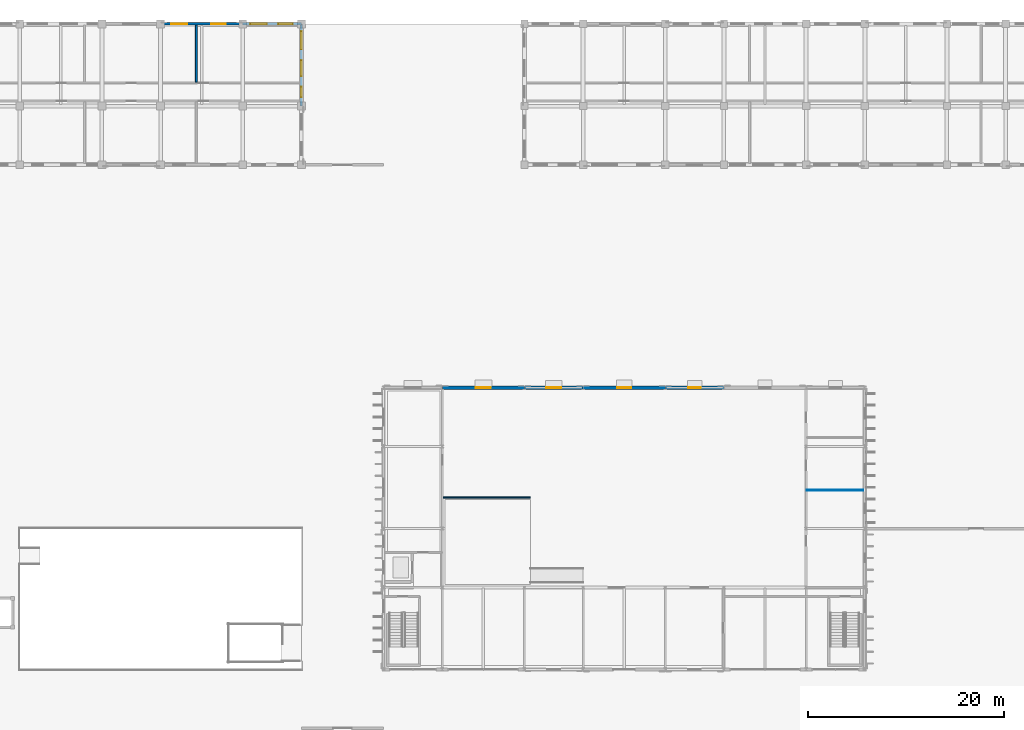
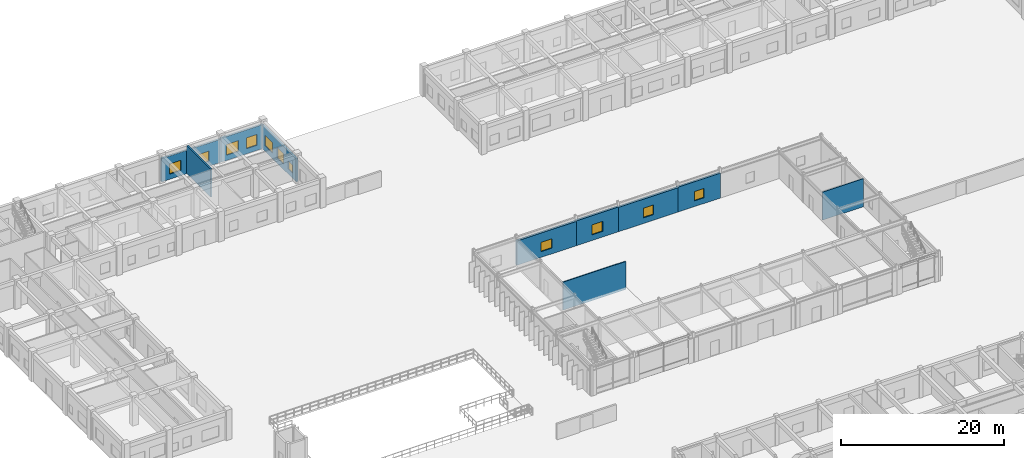
# One storey, part 38 of 67: 11 windows, 10 walls, 11 openings.
"""IFC4 building model written with IfcOpenShell, lengths in metres."""

from ifc_helpers import new_model, si_unit, direction, frame, frame_2d, origin, place, context, subcontext, project, spatial, rectangle, extrude, material, layer, layer_set, type_object, element, fill, save


model = new_model("IFC4")

# Units and contexts
model_context = context("Model", 3, precision=1e-05, world=origin(), true_north=direction((0.0, 1.0)))
body_context = subcontext(model_context, "Body", "Model", "MODEL_VIEW")
ifc_project = project(units=[si_unit("LENGTHUNIT", "METRE"), si_unit("AREAUNIT", "SQUARE_METRE"), si_unit("VOLUMEUNIT", "CUBIC_METRE"), si_unit("PLANEANGLEUNIT", "RADIAN"), si_unit("MASSUNIT", "GRAM", prefix="KILO"), si_unit("THERMODYNAMICTEMPERATUREUNIT", "KELVIN")], contexts=[model_context])

# Site, building, storey
site_placement = place(None, origin())
site = spatial("IfcSite", under=ifc_project, at=site_placement, CompositionType="ELEMENT")
building_placement = place(site_placement, origin())
building = spatial("IfcBuilding", under=site, at=building_placement, Name="Thalorik Housing Commons", CompositionType="ELEMENT")
storey_placement = place(building_placement, origin())
storey = spatial("IfcBuildingStorey", under=building, at=storey_placement, Name="L00", CompositionType="ELEMENT", Elevation=0.0)

# Wall, openings, windows
ifc_material_1 = material(Name="White precast concrete C40/50", Category="concrete")
ifc_layer_1 = layer(ifc_material_1, 0.264892578125, Name="White precast concrete C40/50", Category="concrete")
ifc_layer_set_1 = layer_set([ifc_layer_1], Name="White precast concrete C40/50")
wall_type_1 = type_object("IfcWallType", Name="ARC-WAL-EXT-265", PredefinedType="STANDARD", material=ifc_layer_set_1)
wall_1_placement = place(storey_placement, frame((57.60009765625, 115.199951171875, 0.0), z_axis=(0.0, 0.0, 1.0), x_axis=(0.0, 1.0, 0.0)))
wall_1 = element("IfcWall", 1, at=wall_1_placement, inside=storey, type_object=wall_type_1, Name="L00 Exterior Wall WAL-EXT-L00-A-0007", PredefinedType="STANDARD", context=body_context, shape_type="SweptSolid", body=[
    extrude(rectangle(XDim=8.400146484375, YDim=0.264892578125, at=frame_2d((4.2001953125, 0.0))), origin(), (0.0, 0.0, 1.0), 3.485107421875),
])
opening_1_placement = place(wall_1_placement, frame((0.925048828125, 0.0, 0.780029296875)))
opening_1 = element("IfcOpeningElement", 2, at=opening_1_placement, cuts=wall_1, Name="Opening W-44", PredefinedType="OPENING", context=body_context, shape_type="SweptSolid", body=[
    extrude(rectangle(XDim=1.050048828125, YDim=1.199951171875, at=frame_2d((0.52490234375, 0.60009765625))), frame((0.0, 0.142578125, 0.0), z_axis=(0.0, -1.0, 0.0), x_axis=(1.0, 0.0, 0.0)), (0.0, 0.0, 1.0), 0.284912109375),
])
opening_2_placement = place(wall_1_placement, frame((3.072509765625, 0.0, 0.780029296875)))
opening_2 = element("IfcOpeningElement", 3, at=opening_2_placement, cuts=wall_1, Name="Opening W-13", PredefinedType="OPENING", context=body_context, shape_type="SweptSolid", body=[
    extrude(rectangle(XDim=1.60009765625, YDim=1.550048828125, at=frame_2d((0.800048828125, 0.77490234375))), frame((0.0, 0.142578125, 0.0), z_axis=(0.0, -1.0, 0.0), x_axis=(1.0, 0.0, 0.0)), (0.0, 0.0, 1.0), 0.284912109375),
])
opening_3_placement = place(wall_1_placement, frame((5.79248046875, 0.0, 0.780029296875)))
opening_3 = element("IfcOpeningElement", 4, at=opening_3_placement, cuts=wall_1, Name="Opening W-20", PredefinedType="OPENING", context=body_context, shape_type="SweptSolid", body=[
    extrude(rectangle(XDim=1.85009765625, YDim=1.60009765625, at=frame_2d((0.925048828125, 0.800048828125))), frame((0.0, 0.142578125, 0.0), z_axis=(0.0, -1.0, 0.0), x_axis=(1.0, 0.0, 0.0)), (0.0, 0.0, 1.0), 0.284912109375),
])
ifc_material_2 = material(Name="Anodised aluminium and solar-control low-E glass", Category="aluminium")
window_type_1 = type_object("IfcWindowType", Name="ARC-WIN-13", PartitioningType="DOUBLE_PANEL_VERTICAL", PredefinedType="WINDOW", material=ifc_material_2)
window_1_placement = place(opening_2_placement, origin())
window_1 = element("IfcWindow", 5, at=window_1_placement, inside=storey, type_object=window_type_1, Name="L00 Facade Window 14", OverallHeight=1.550048828125, OverallWidth=1.60009765625, PartitioningType="DOUBLE_PANEL_VERTICAL", PredefinedType="WINDOW", context=body_context, shape_type="SweptSolid", body=[
    extrude(rectangle(XDim=1.60009765625, YDim=1.550048828125, at=frame_2d((0.800048828125, 0.77490234375))), frame((0.0, 0.030029296875, 0.0), z_axis=(0.0, -1.0, 0.0), x_axis=(1.0, 0.0, 0.0)), (0.0, 0.0, 1.0), 0.06005859375),
])
fill(opening_2, window_1)
window_type_2 = type_object("IfcWindowType", Name="ARC-WIN-20", PartitioningType="DOUBLE_PANEL_VERTICAL", PredefinedType="WINDOW", material=ifc_material_2)
window_2_placement = place(opening_3_placement, origin())
window_2 = element("IfcWindow", 6, at=window_2_placement, inside=storey, type_object=window_type_2, Name="L00 Facade Window 15", OverallHeight=1.60009765625, OverallWidth=1.85009765625, PartitioningType="DOUBLE_PANEL_VERTICAL", PredefinedType="WINDOW", context=body_context, shape_type="SweptSolid", body=[
    extrude(rectangle(XDim=1.85009765625, YDim=1.60009765625, at=frame_2d((0.925048828125, 0.800048828125))), frame((0.0, 0.030029296875, 0.0), z_axis=(0.0, -1.0, 0.0), x_axis=(1.0, 0.0, 0.0)), (0.0, 0.0, 1.0), 0.06005859375),
])
fill(opening_3, window_2)
window_type_3 = type_object("IfcWindowType", Name="ARC-WIN-44", PartitioningType="SINGLE_PANEL", PredefinedType="WINDOW", material=ifc_material_2)
window_3_placement = place(opening_1_placement, origin())
window_3 = element("IfcWindow", 7, at=window_3_placement, inside=storey, type_object=window_type_3, Name="L00 Facade Window 13", OverallHeight=1.199951171875, OverallWidth=1.050048828125, PartitioningType="SINGLE_PANEL", PredefinedType="WINDOW", context=body_context, shape_type="SweptSolid", body=[
    extrude(rectangle(XDim=1.050048828125, YDim=1.199951171875, at=frame_2d((0.52490234375, 0.60009765625))), frame((0.0, 0.030029296875, 0.0), z_axis=(0.0, -1.0, 0.0), x_axis=(1.0, 0.0, 0.0)), (0.0, 0.0, 1.0), 0.06005859375),
])
fill(opening_1, window_3)

wall_2_placement = place(storey_placement, frame((57.60009765625, 123.60009765625, 0.0), z_axis=(0.0, 0.0, 1.0), x_axis=(-1.0, 0.0, 0.0)))
wall_2 = element("IfcWall", 8, at=wall_2_placement, inside=storey, type_object=wall_type_1, Name="L00 Exterior Wall WAL-EXT-L00-A-0008", PredefinedType="STANDARD", context=body_context, shape_type="SweptSolid", body=[
    extrude(rectangle(XDim=6.0, YDim=0.264892578125, at=frame_2d((3.0, 0.0))), origin(), (0.0, 0.0, 1.0), 3.5849609375),
])
opening_4_placement = place(wall_2_placement, frame((0.905029296875, 0.0, 0.780029296875)))
opening_4 = element("IfcOpeningElement", 9, at=opening_4_placement, cuts=wall_2, Name="Opening W-09", PredefinedType="OPENING", context=body_context, shape_type="SweptSolid", body=[
    extrude(rectangle(XDim=1.449951171875, YDim=1.60009765625, at=frame_2d((0.72509765625, 0.800048828125))), frame((0.0, 0.142578125, 0.0), z_axis=(0.0, -1.0, 0.0), x_axis=(1.0, 0.0, 0.0)), (0.0, 0.0, 1.0), 0.284912109375),
])
opening_5_placement = place(wall_2_placement, frame((3.52001953125, 0.0, 0.780029296875)))
opening_5 = element("IfcOpeningElement", 10, at=opening_5_placement, cuts=wall_2, Name="Opening W-16", PredefinedType="OPENING", context=body_context, shape_type="SweptSolid", body=[
    extrude(rectangle(XDim=1.699951171875, YDim=1.60009765625, at=frame_2d((0.85009765625, 0.800048828125))), frame((0.0, 0.142578125, 0.0), z_axis=(0.0, -1.0, 0.0), x_axis=(1.0, 0.0, 0.0)), (0.0, 0.0, 1.0), 0.284912109375),
])
window_type_4 = type_object("IfcWindowType", Name="ARC-WIN-09", PartitioningType="SINGLE_PANEL", PredefinedType="WINDOW", material=ifc_material_2)
window_4_placement = place(opening_4_placement, origin())
window_4 = element("IfcWindow", 11, at=window_4_placement, inside=storey, type_object=window_type_4, Name="L00 Facade Window 16", OverallHeight=1.60009765625, OverallWidth=1.449951171875, PartitioningType="SINGLE_PANEL", PredefinedType="WINDOW", context=body_context, shape_type="SweptSolid", body=[
    extrude(rectangle(XDim=1.449951171875, YDim=1.60009765625, at=frame_2d((0.72509765625, 0.800048828125))), frame((0.0, 0.030029296875, 0.0), z_axis=(0.0, -1.0, 0.0), x_axis=(1.0, 0.0, 0.0)), (0.0, 0.0, 1.0), 0.06005859375),
])
fill(opening_4, window_4)
window_type_5 = type_object("IfcWindowType", Name="ARC-WIN-16", PartitioningType="DOUBLE_PANEL_VERTICAL", PredefinedType="WINDOW", material=ifc_material_2)
window_5_placement = place(opening_5_placement, origin())
window_5 = element("IfcWindow", 12, at=window_5_placement, inside=storey, type_object=window_type_5, Name="L00 Facade Window 17", OverallHeight=1.60009765625, OverallWidth=1.699951171875, PartitioningType="DOUBLE_PANEL_VERTICAL", PredefinedType="WINDOW", context=body_context, shape_type="SweptSolid", body=[
    extrude(rectangle(XDim=1.699951171875, YDim=1.60009765625, at=frame_2d((0.85009765625, 0.800048828125))), frame((0.0, 0.030029296875, 0.0), z_axis=(0.0, -1.0, 0.0), x_axis=(1.0, 0.0, 0.0)), (0.0, 0.0, 1.0), 0.06005859375),
])
fill(opening_5, window_5)

wall_3_placement = place(storey_placement, frame((51.60009765625, 123.60009765625, 0.0), z_axis=(0.0, 0.0, 1.0), x_axis=(-1.0, 0.0, 0.0)))
wall_3 = element("IfcWall", 13, at=wall_3_placement, inside=storey, type_object=wall_type_1, Name="L00 Exterior Wall WAL-EXT-L00-A-0009", PredefinedType="STANDARD", context=body_context, shape_type="SweptSolid", body=[
    extrude(rectangle(XDim=8.400146484375, YDim=0.264892578125, at=frame_2d((4.2001953125, 0.0))), origin(), (0.0, 0.0, 1.0), 3.485107421875),
])
opening_6_placement = place(wall_3_placement, frame((1.719970703125, 0.0, 0.780029296875)))
opening_6 = element("IfcOpeningElement", 14, at=opening_6_placement, cuts=wall_3, Name="Opening W-10", PredefinedType="OPENING", context=body_context, shape_type="SweptSolid", body=[
    extrude(rectangle(XDim=1.5, YDim=1.5, at=frame_2d((0.75, 0.75))), frame((0.0, 0.142578125, 0.0), z_axis=(0.0, -1.0, 0.0), x_axis=(1.0, 0.0, 0.0)), (0.0, 0.0, 1.0), 0.284912109375),
])
opening_7_placement = place(wall_3_placement, frame((5.655029296875, 0.0, 0.780029296875)))
opening_7 = element("IfcOpeningElement", 15, at=opening_7_placement, cuts=wall_3, Name="Opening W-15", PredefinedType="OPENING", context=body_context, shape_type="SweptSolid", body=[
    extrude(rectangle(XDim=1.64990234375, YDim=1.5, at=frame_2d((0.824951171875, 0.75))), frame((0.0, 0.142578125, 0.0), z_axis=(0.0, -1.0, 0.0), x_axis=(1.0, 0.0, 0.0)), (0.0, 0.0, 1.0), 0.284912109375),
])
window_type_6 = type_object("IfcWindowType", Name="ARC-WIN-10", PartitioningType="SINGLE_PANEL", PredefinedType="WINDOW", material=ifc_material_2)
window_6_placement = place(opening_6_placement, origin())
window_6 = element("IfcWindow", 16, at=window_6_placement, inside=storey, type_object=window_type_6, Name="L00 Facade Window 18", OverallHeight=1.5, OverallWidth=1.5, PartitioningType="SINGLE_PANEL", PredefinedType="WINDOW", context=body_context, shape_type="SweptSolid", body=[
    extrude(rectangle(XDim=1.5, YDim=1.5, at=frame_2d((0.75, 0.75))), frame((0.0, 0.030029296875, 0.0), z_axis=(0.0, -1.0, 0.0), x_axis=(1.0, 0.0, 0.0)), (0.0, 0.0, 1.0), 0.06005859375),
])
fill(opening_6, window_6)
window_type_7 = type_object("IfcWindowType", Name="ARC-WIN-15", PartitioningType="DOUBLE_PANEL_VERTICAL", PredefinedType="WINDOW", material=ifc_material_2)
window_7_placement = place(opening_7_placement, origin())
window_7 = element("IfcWindow", 17, at=window_7_placement, inside=storey, type_object=window_type_7, Name="L00 Facade Window 19", OverallHeight=1.5, OverallWidth=1.64990234375, PartitioningType="DOUBLE_PANEL_VERTICAL", PredefinedType="WINDOW", context=body_context, shape_type="SweptSolid", body=[
    extrude(rectangle(XDim=1.64990234375, YDim=1.5, at=frame_2d((0.824951171875, 0.75))), frame((0.0, 0.030029296875, 0.0), z_axis=(0.0, -1.0, 0.0), x_axis=(1.0, 0.0, 0.0)), (0.0, 0.0, 1.0), 0.06005859375),
])
fill(opening_7, window_7)

# Wall, opening, window
ifc_layer_2 = layer(ifc_material_1, 0.320068359375, Name="White precast concrete C40/50", Category="concrete")
ifc_layer_set_2 = layer_set([ifc_layer_2], Name="White precast concrete C40/50")
wall_type_2 = type_object("IfcWallType", Name="ARC-WAL-EXT-320", PredefinedType="STANDARD", material=ifc_layer_set_2)
wall_4_placement = place(storey_placement, frame((100.800048828125, 86.39990234375, 0.0), z_axis=(0.0, 0.0, 1.0), x_axis=(-1.0, 0.0, 0.0)))
wall_4 = element("IfcWall", 18, at=wall_4_placement, inside=storey, type_object=wall_type_2, Name="L00 Exterior Wall WAL-HALL-L00-1292", PredefinedType="STANDARD", context=body_context, shape_type="SweptSolid", body=[
    extrude(rectangle(XDim=6.0, YDim=0.320068359375, at=frame_2d((3.0, 0.0))), origin(), (0.0, 0.0, 1.0), 3.721923828125),
])
opening_8_placement = place(wall_4_placement, frame((2.35009765625, 0.0, 0.85009765625)))
opening_8 = element("IfcOpeningElement", 19, at=opening_8_placement, cuts=wall_4, Name="Opening W-06", PredefinedType="OPENING", context=body_context, shape_type="SweptSolid", body=[
    extrude(rectangle(XDim=1.300048828125, YDim=1.39990234375, at=frame_2d((0.64990234375, 0.699951171875))), frame((0.0, 0.169921875, 0.0), z_axis=(0.0, -1.0, 0.0), x_axis=(1.0, 0.0, 0.0)), (0.0, 0.0, 1.0), 0.340087890625),
])
window_type_8 = type_object("IfcWindowType", Name="ARC-WIN-06", PartitioningType="SINGLE_PANEL", PredefinedType="WINDOW", material=ifc_material_2)
window_8_placement = place(opening_8_placement, origin())
window_8 = element("IfcWindow", 20, at=window_8_placement, inside=storey, type_object=window_type_8, Name="L00 Facade Window 2334", OverallHeight=1.39990234375, OverallWidth=1.300048828125, PartitioningType="SINGLE_PANEL", PredefinedType="WINDOW", context=body_context, shape_type="SweptSolid", body=[
    extrude(rectangle(XDim=1.300048828125, YDim=1.39990234375, at=frame_2d((0.64990234375, 0.699951171875))), frame((0.0, 0.030029296875, 0.0), z_axis=(0.0, -1.0, 0.0), x_axis=(1.0, 0.0, 0.0)), (0.0, 0.0, 1.0), 0.06005859375),
])
fill(opening_8, window_8)

wall_5_placement = place(storey_placement, frame((94.800048828125, 86.39990234375, 0.0), z_axis=(0.0, 0.0, 1.0), x_axis=(-1.0, 0.0, 0.0)))
wall_5 = element("IfcWall", 21, at=wall_5_placement, inside=storey, type_object=wall_type_2, Name="L00 Exterior Wall WAL-HALL-L00-1293", PredefinedType="STANDARD", context=body_context, shape_type="SweptSolid", body=[
    extrude(rectangle(XDim=8.400146484375, YDim=0.320068359375, at=frame_2d((4.2001953125, 0.0))), origin(), (0.0, 0.0, 1.0), 3.64599609375),
])
opening_9_placement = place(wall_5_placement, frame((3.5, 0.0, 0.85009765625)))
opening_9 = element("IfcOpeningElement", 22, at=opening_9_placement, cuts=wall_5, Name="Opening W-08", PredefinedType="OPENING", context=body_context, shape_type="SweptSolid", body=[
    extrude(rectangle(XDim=1.39990234375, YDim=1.449951171875, at=frame_2d((0.699951171875, 0.72509765625))), frame((0.0, 0.169921875, 0.0), z_axis=(0.0, -1.0, 0.0), x_axis=(1.0, 0.0, 0.0)), (0.0, 0.0, 1.0), 0.340087890625),
])
window_type_9 = type_object("IfcWindowType", Name="ARC-WIN-08", PartitioningType="SINGLE_PANEL", PredefinedType="WINDOW", material=ifc_material_2)
window_9_placement = place(opening_9_placement, origin())
window_9 = element("IfcWindow", 23, at=window_9_placement, inside=storey, type_object=window_type_9, Name="L00 Facade Window 2335", OverallHeight=1.449951171875, OverallWidth=1.39990234375, PartitioningType="SINGLE_PANEL", PredefinedType="WINDOW", context=body_context, shape_type="SweptSolid", body=[
    extrude(rectangle(XDim=1.39990234375, YDim=1.449951171875, at=frame_2d((0.699951171875, 0.72509765625))), frame((0.0, 0.030029296875, 0.0), z_axis=(0.0, -1.0, 0.0), x_axis=(1.0, 0.0, 0.0)), (0.0, 0.0, 1.0), 0.06005859375),
])
fill(opening_9, window_9)

wall_6_placement = place(storey_placement, frame((86.39990234375, 86.39990234375, 0.0), z_axis=(0.0, 0.0, 1.0), x_axis=(-1.0, 0.0, 0.0)))
wall_6 = element("IfcWall", 24, at=wall_6_placement, inside=storey, type_object=wall_type_2, Name="L00 Exterior Wall WAL-HALL-L00-1294", PredefinedType="STANDARD", context=body_context, shape_type="SweptSolid", body=[
    extrude(rectangle(XDim=6.0, YDim=0.320068359375, at=frame_2d((3.0, 0.0))), origin(), (0.0, 0.0, 1.0), 3.721923828125),
])
opening_10_placement = place(wall_6_placement, frame((2.25, 0.0, 0.85009765625)))
opening_10 = element("IfcOpeningElement", 25, at=opening_10_placement, cuts=wall_6, Name="Opening W-10", PredefinedType="OPENING", context=body_context, shape_type="SweptSolid", body=[
    extrude(rectangle(XDim=1.5, YDim=1.5, at=frame_2d((0.75, 0.75))), frame((0.0, 0.169921875, 0.0), z_axis=(0.0, -1.0, 0.0), x_axis=(1.0, 0.0, 0.0)), (0.0, 0.0, 1.0), 0.340087890625),
])
window_10_placement = place(opening_10_placement, origin())
window_10 = element("IfcWindow", 26, at=window_10_placement, inside=storey, type_object=window_type_6, Name="L00 Facade Window 2336", OverallHeight=1.5, OverallWidth=1.5, PartitioningType="SINGLE_PANEL", PredefinedType="WINDOW", context=body_context, shape_type="SweptSolid", body=[
    extrude(rectangle(XDim=1.5, YDim=1.5, at=frame_2d((0.75, 0.75))), frame((0.0, 0.030029296875, 0.0), z_axis=(0.0, -1.0, 0.0), x_axis=(1.0, 0.0, 0.0)), (0.0, 0.0, 1.0), 0.06005859375),
])
fill(opening_10, window_10)

wall_7_placement = place(storey_placement, frame((80.39990234375, 86.39990234375, 0.0), z_axis=(0.0, 0.0, 1.0), x_axis=(-1.0, 0.0, 0.0)))
wall_7 = element("IfcWall", 27, at=wall_7_placement, inside=storey, type_object=wall_type_2, Name="L00 Exterior Wall WAL-HALL-L00-1295", PredefinedType="STANDARD", context=body_context, shape_type="SweptSolid", body=[
    extrude(rectangle(XDim=8.39990234375, YDim=0.320068359375, at=frame_2d((4.199951171875, 0.0))), origin(), (0.0, 0.0, 1.0), 3.64599609375),
])
opening_11_placement = place(wall_7_placement, frame((3.425048828125, 0.0, 0.85009765625)))
opening_11 = element("IfcOpeningElement", 28, at=opening_11_placement, cuts=wall_7, Name="Opening W-12", PredefinedType="OPENING", context=body_context, shape_type="SweptSolid", body=[
    extrude(rectangle(XDim=1.550048828125, YDim=1.39990234375, at=frame_2d((0.77490234375, 0.699951171875))), frame((0.0, 0.169921875, 0.0), z_axis=(0.0, -1.0, 0.0), x_axis=(1.0, 0.0, 0.0)), (0.0, 0.0, 1.0), 0.340087890625),
])
window_type_10 = type_object("IfcWindowType", Name="ARC-WIN-12", PartitioningType="SINGLE_PANEL", PredefinedType="WINDOW", material=ifc_material_2)
window_11_placement = place(opening_11_placement, origin())
window_11 = element("IfcWindow", 29, at=window_11_placement, inside=storey, type_object=window_type_10, Name="L00 Facade Window 2337", OverallHeight=1.39990234375, OverallWidth=1.550048828125, PartitioningType="SINGLE_PANEL", PredefinedType="WINDOW", context=body_context, shape_type="SweptSolid", body=[
    extrude(rectangle(XDim=1.550048828125, YDim=1.39990234375, at=frame_2d((0.77490234375, 0.699951171875))), frame((0.0, 0.030029296875, 0.0), z_axis=(0.0, -1.0, 0.0), x_axis=(1.0, 0.0, 0.0)), (0.0, 0.0, 1.0), 0.06005859375),
])
fill(opening_11, window_11)

# Walls
ifc_material_3 = material(Name="Gypsum light stud partition", Category="masonry")
ifc_layer_3 = layer(ifc_material_3, 0.10009765625, Name="Gypsum light stud partition", Category="masonry")
ifc_layer_set_3 = layer_set([ifc_layer_3], Name="Gypsum light stud partition")
wall_type_3 = type_object("IfcWallType", Name="ARC-WAL-PART-100", PredefinedType="PARTITIONING", material=ifc_layer_set_3)
wall_8_placement = place(storey_placement, frame((109.27587890625, 75.919921875, 0.0), z_axis=(0.0, 0.0, 1.0), x_axis=(1.0, 0.0, 0.0)))
element("IfcWall", 30, at=wall_8_placement, inside=storey, type_object=wall_type_3, Name="L00 Hall Public Bathroom North Divider", PredefinedType="PARTITIONING", context=body_context, shape_type="SweptSolid", body=[
    extrude(rectangle(XDim=5.7841796875, YDim=0.10009765625, at=frame_2d((2.89208984375, 0.0))), origin(), (0.0, 0.0, 1.0), 4.199951171875),
])
ifc_material_4 = material(Name="Gypsum acoustic stud partition", Category="masonry")
ifc_layer_4 = layer(ifc_material_4, 0.125, Name="Gypsum acoustic stud partition", Category="masonry")
ifc_layer_set_4 = layer_set([ifc_layer_4], Name="Gypsum acoustic stud partition")
wall_type_4 = type_object("IfcWallType", Name="ARC-WAL-PART-125", PredefinedType="PARTITIONING", material=ifc_layer_set_4)
wall_9_placement = place(storey_placement, frame((72.075927734375, 75.179931640625, 0.0), z_axis=(0.0, 0.0, 1.0), x_axis=(1.0, 0.0, 0.0)))
element("IfcWall", 31, at=wall_9_placement, inside=storey, type_object=wall_type_4, Name="L00 Hall Stage Dressing Divider", PredefinedType="PARTITIONING", context=body_context, shape_type="SweptSolid", body=[
    extrude(rectangle(XDim=8.924072265625, YDim=0.125, at=frame_2d((4.4619140625, 0.0))), origin(), (0.0, 0.0, 1.0), 4.199951171875),
])
ifc_material_5 = material(Name="Precast concrete C40/50 acoustic wall", Category="concrete")
ifc_layer_5 = layer(ifc_material_5, 0.199951171875, Name="Precast concrete C40/50 acoustic wall", Category="concrete")
ifc_layer_set_5 = layer_set([ifc_layer_5], Name="Precast concrete C40/50 acoustic wall")
wall_type_5 = type_object("IfcWallType", Name="ARC-WAL-PARTY-200", PredefinedType="PARTITIONING", material=ifc_layer_set_5)
wall_10_placement = place(storey_placement, frame((46.85009765625, 117.656982421875, 0.0), z_axis=(0.0, 0.0, 1.0), x_axis=(0.0, 1.0, 0.0)))
element("IfcWall", 32, at=wall_10_placement, inside=storey, type_object=wall_type_5, Name="L00 Inter-Tenancy Wall 2B", PredefinedType="PARTITIONING", context=body_context, shape_type="SweptSolid", body=[
    extrude(rectangle(XDim=5.80859375, YDim=0.199951171875, at=frame_2d((2.904296875, 0.0))), origin(), (0.0, 0.0, 1.0), 4.199951171875),
])

save(model, "model.ifc")
